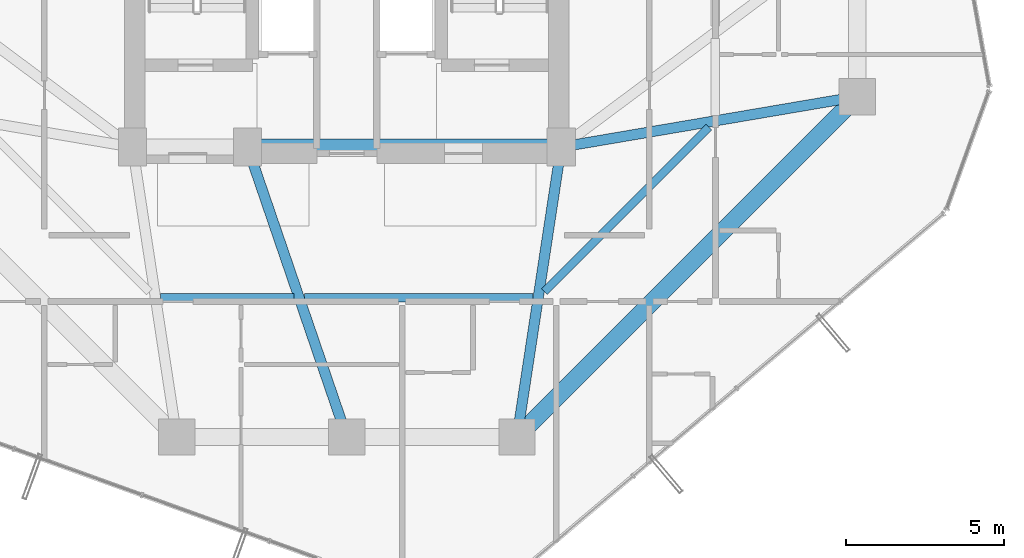
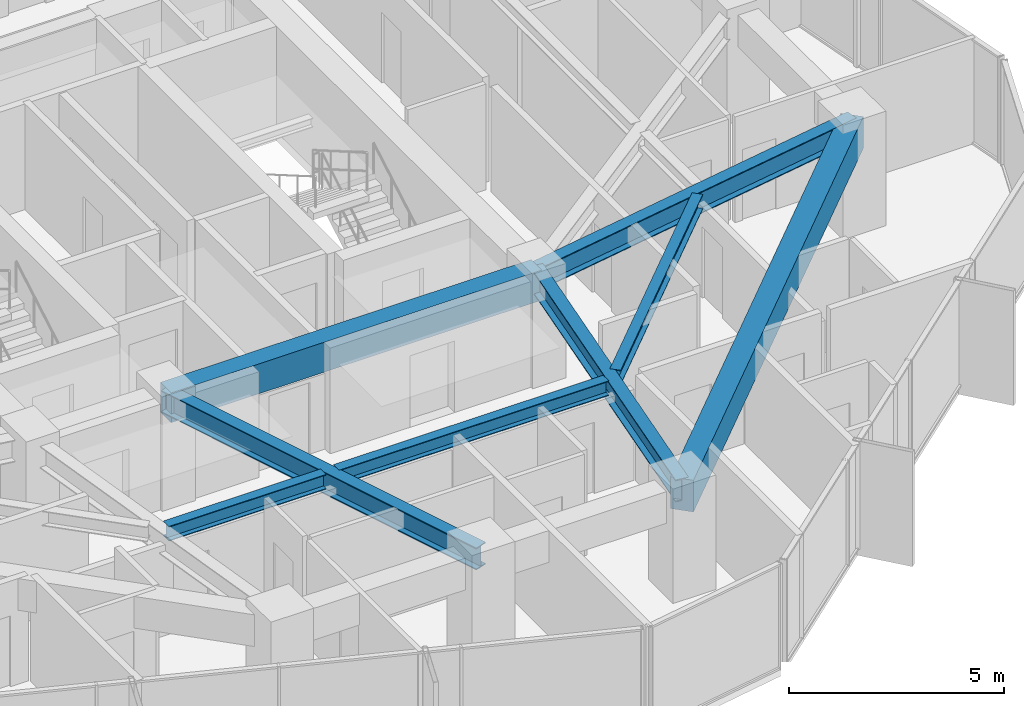
# One storey, part 8 of 36: 8 beams.
"""IFC4 building model written with IfcOpenShell, lengths in metres."""

from ifc_helpers import new_model, si_unit, direction, frame, origin, origin_2d, place, context, subcontext, project, spatial, rectangle, i_section, extrude, material, material_profile, profile_set, type_object, element, save


model = new_model("IFC4")

# Units and contexts
model_context = context("Model", 3, precision=1e-05, world=origin(), true_north=direction((0.0, 1.0)))
body_context = subcontext(model_context, "Body", "Model", "MODEL_VIEW")
ifc_project = project(units=[si_unit("LENGTHUNIT", "METRE"), si_unit("AREAUNIT", "SQUARE_METRE"), si_unit("VOLUMEUNIT", "CUBIC_METRE"), si_unit("PLANEANGLEUNIT", "RADIAN"), si_unit("MASSUNIT", "GRAM", prefix="KILO")], contexts=[model_context])

# Site, building, storey
site_placement = place(None, origin())
site = spatial("IfcSite", under=ifc_project, at=site_placement, CompositionType="ELEMENT")
building_placement = place(site_placement, origin())
building = spatial("IfcBuilding", under=site, at=building_placement, Name="Veraguas Prism Commons", CompositionType="ELEMENT")
storey_placement = place(building_placement, frame((0.0, 0.0, 163.050048828125)))
storey = spatial("IfcBuildingStorey", under=building, at=storey_placement, Name="L46", CompositionType="ELEMENT", Elevation=163.050048828125)

# Beams
ifc_material_1 = material(Name="Concrete C50/60", Category="concrete")
ifc_material_profile_1 = material_profile(ifc_material_1, rectangle(XDim=0.5, YDim=0.85009765625, at=origin_2d()), Name="RC500X850")
ifc_profile_set_1 = profile_set([ifc_material_profile_1], Name="Concrete C50/60")
beam_type_1 = type_object("IfcBeamType", Name="Core Coupling Beam RC 500x850", PredefinedType="BEAM", material=ifc_profile_set_1)
beam_1_placement = place(storey_placement, frame((20.85009765625, 17.0, 2.574951171875), z_axis=(1.0, 0.0, 0.0), x_axis=(0.0, 1.0, 0.0)))
element("IfcBeam", 1, at=beam_1_placement, inside=storey, type_object=beam_type_1, Name="Core Coupling Beam L46-CRS2", PredefinedType="BEAM", context=body_context, shape_type="SweptSolid", body=[
    extrude(rectangle(XDim=0.5, YDim=0.85009765625, at=origin_2d()), origin(), (0.0, 0.0, 1.0), 9.949951171875),
])
ifc_material_2 = material(Name="Steel ASTM A992 Grade 50", Category="steel")
ifc_material_profile_2 = material_profile(ifc_material_2, i_section(OverallWidth=0.260986328125, OverallDepth=0.419921875, WebThickness=0.01171875, FlangeThickness=0.019287109375, at=origin_2d()), Name="W410X114")
ifc_profile_set_2 = profile_set([ifc_material_profile_2], Name="Steel ASTM A992 Grade 50")
beam_type_2 = type_object("IfcBeamType", Name="Lower Floor Joist W410x114", PredefinedType="JOIST", material=ifc_profile_set_2)
beam_2_placement = place(storey_placement, frame((18.091796875, 12.216064453125, 2.7900390625), z_axis=(1.0, 0.0, 0.0), x_axis=(0.0, 1.0, 0.0)))
element("IfcBeam", 2, at=beam_2_placement, inside=storey, type_object=beam_type_2, Name="Composite Floor Joist L46-JS10", PredefinedType="JOIST", context=body_context, shape_type="SweptSolid", body=[
    extrude(i_section(OverallWidth=0.260986328125, OverallDepth=0.419921875, WebThickness=0.01171875, FlangeThickness=0.019287109375, at=origin_2d()), origin(), (0.0, 0.0, 1.0), 4.22509765625),
])
beam_3_placement = place(storey_placement, frame((22.6591796875, 12.216064453125, 2.7900390625), z_axis=(1.0, 0.0, 0.0), x_axis=(0.0, 1.0, 0.0)))
element("IfcBeam", 3, at=beam_3_placement, inside=storey, type_object=beam_type_2, Name="Composite Floor Joist L46-JS11", PredefinedType="JOIST", context=body_context, shape_type="SweptSolid", body=[
    extrude(i_section(OverallWidth=0.260986328125, OverallDepth=0.419921875, WebThickness=0.01171875, FlangeThickness=0.019287109375, at=origin_2d()), origin(), (0.0, 0.0, 1.0), 7.2490234375),
])
beam_4_placement = place(storey_placement, frame((30.265380859375, 12.4091796875, 2.7900390625), z_axis=(0.707090260193, 0.707123301794, 0.0), x_axis=(-0.707123301794, 0.707090260193, 0.0)))
element("IfcBeam", 4, at=beam_4_placement, inside=storey, type_object=beam_type_2, Name="Composite Floor Joist L46-JS12", PredefinedType="JOIST", context=body_context, shape_type="SweptSolid", body=[
    extrude(i_section(OverallWidth=0.260986328125, OverallDepth=0.419921875, WebThickness=0.01171875, FlangeThickness=0.019287109375, at=origin_2d()), origin(), (0.0, 0.0, 1.0), 7.388916015625),
])
ifc_material_profile_3 = material_profile(ifc_material_1, rectangle(XDim=0.550048828125, YDim=0.89990234375, at=origin_2d()), Name="RC550X900")
ifc_profile_set_3 = profile_set([ifc_material_profile_3], Name="Concrete C50/60")
beam_type_3 = type_object("IfcBeamType", Name="Perimeter Spandrel Lower RC 550x900", PredefinedType="SPANDREL", material=ifc_profile_set_3)
beam_5_placement = place(storey_placement, frame((29.39990234375, 7.800048828125, 2.550048828125), z_axis=(0.707106781187, 0.707106781187, 0.0), x_axis=(-0.707106781187, 0.707106781187, 0.0)))
element("IfcBeam", 5, at=beam_5_placement, inside=storey, type_object=beam_type_3, Name="Perimeter Spandrel Beam L46-SP12", PredefinedType="SPANDREL", context=body_context, shape_type="SweptSolid", body=[
    extrude(rectangle(XDim=0.550048828125, YDim=0.89990234375, at=origin_2d()), origin(), (0.0, 0.0, 1.0), 15.273681640625),
])
ifc_material_profile_4 = material_profile(ifc_material_2, i_section(OverallWidth=0.327880859375, OverallDepth=0.6220703125, WebThickness=0.015380859375, FlangeThickness=0.0244140625, at=origin_2d()), Name="W610X195")
ifc_profile_set_4 = profile_set([ifc_material_profile_4], Name="Steel ASTM A992 Grade 50")
beam_type_4 = type_object("IfcBeamType", Name="Zone 2 Radial Girder W610x195", PredefinedType="BEAM", material=ifc_profile_set_4)
beam_6_placement = place(storey_placement, frame((40.199951171875, 18.60009765625, 2.68896484375), z_axis=(-0.985819187151, -0.1678109956, 0.0), x_axis=(0.1678109956, -0.985819187151, 0.0)))
element("IfcBeam", 6, at=beam_6_placement, inside=storey, type_object=beam_type_4, Name="Radial Floor Girder L46-RD01", PredefinedType="BEAM", context=body_context, shape_type="SweptSolid", body=[
    extrude(i_section(OverallWidth=0.327880859375, OverallDepth=0.6220703125, WebThickness=0.015380859375, FlangeThickness=0.0244140625, at=origin_2d()), origin(), (0.0, 0.0, 1.0), 9.53515625),
])
beam_7_placement = place(storey_placement, frame((24.0, 7.800048828125, 2.68896484375), z_axis=(-0.323922482989, 0.946083624747, 0.0), x_axis=(-0.946083624747, -0.323922482989, 0.0)))
element("IfcBeam", 7, at=beam_7_placement, inside=storey, type_object=beam_type_4, Name="Radial Floor Girder L46-RD11", PredefinedType="BEAM", context=body_context, shape_type="SweptSolid", body=[
    extrude(i_section(OverallWidth=0.327880859375, OverallDepth=0.6220703125, WebThickness=0.015380859375, FlangeThickness=0.0244140625, at=origin_2d()), origin(), (0.0, 0.0, 1.0), 9.724365234375),
])
beam_8_placement = place(storey_placement, frame((29.39990234375, 7.800048828125, 2.68896484375), z_axis=(0.150458162136, 0.98861637729, 0.0), x_axis=(-0.98861637729, 0.150458162136, 0.0)))
element("IfcBeam", 8, at=beam_8_placement, inside=storey, type_object=beam_type_4, Name="Radial Floor Girder L46-RD12", PredefinedType="BEAM", context=body_context, shape_type="SweptSolid", body=[
    extrude(i_section(OverallWidth=0.327880859375, OverallDepth=0.6220703125, WebThickness=0.015380859375, FlangeThickness=0.0244140625, at=origin_2d()), origin(), (0.0, 0.0, 1.0), 9.305908203125),
])

save(model, "model.ifc")
